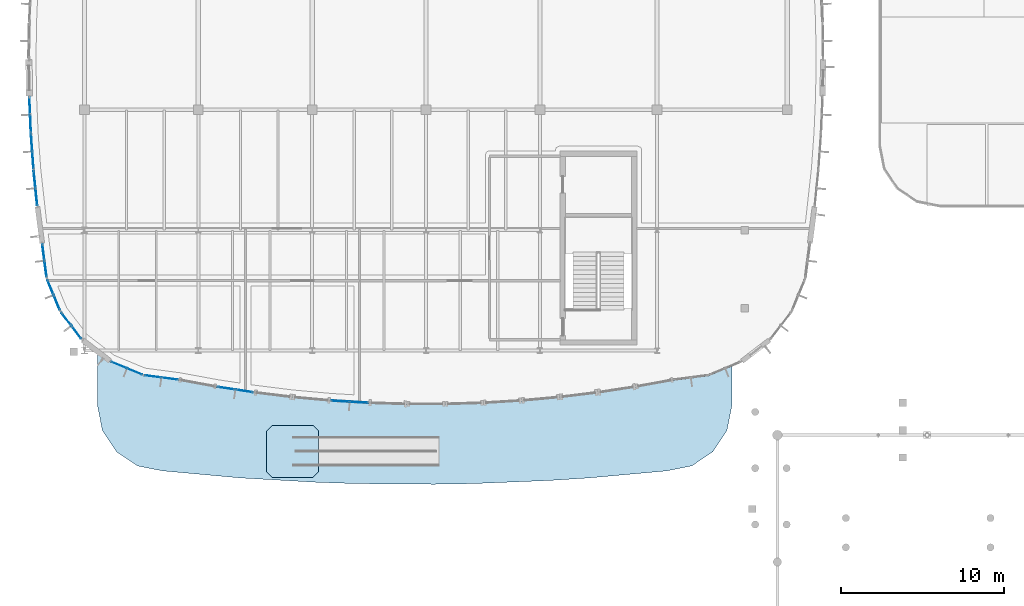
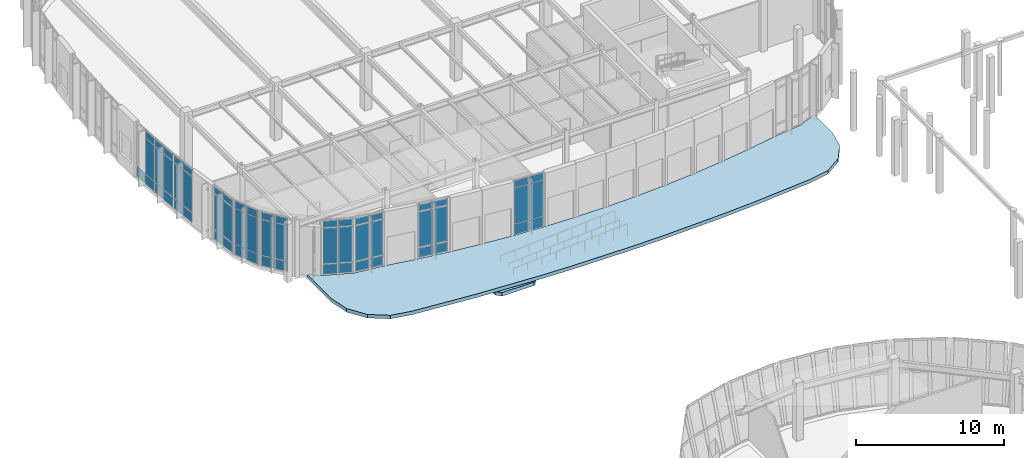
# One storey, part 75 of 120: 58 plates, 2 slabs, 10 elements without a shape of their own.
"""IFC4 building model written with IfcOpenShell, lengths in metres."""

from ifc_helpers import new_model, si_unit, direction, frame, origin, origin_2d, place, context, subcontext, project, spatial, polyline, rectangle, outline, extrude, material, layer, layer_set, type_object, element, aggregate, save


model = new_model("IFC4")

# Units and contexts
model_context = context("Model", 3, precision=1e-05, world=origin(), true_north=direction((0.0, 1.0)))
body_context = subcontext(model_context, "Body", "Model", "MODEL_VIEW")
ifc_project = project(units=[si_unit("LENGTHUNIT", "METRE"), si_unit("AREAUNIT", "SQUARE_METRE"), si_unit("VOLUMEUNIT", "CUBIC_METRE"), si_unit("PLANEANGLEUNIT", "RADIAN"), si_unit("MASSUNIT", "GRAM", prefix="KILO")], contexts=[model_context])

# Site, building, storey
site_placement = place(None, origin())
site = spatial("IfcSite", under=ifc_project, at=site_placement, CompositionType="ELEMENT")
building_placement = place(site_placement, origin())
building = spatial("IfcBuilding", under=site, at=building_placement, Name="Corveleigh Park Community Centre", CompositionType="ELEMENT")
storey_placement = place(building_placement, origin())
storey = spatial("IfcBuildingStorey", under=building, at=storey_placement, Name="L00", CompositionType="ELEMENT", Elevation=0.0)

# Curtain wall, plates
ifc_material_1 = material(Name="Anodised aluminium 6063-T6", Category="aluminium")
curtain_wall_type = type_object("IfcCurtainWallType", Name="CW-SYS-V2-L00", PredefinedType="NOTDEFINED", material=ifc_material_1)
curtain_wall_1_placement = place(storey_placement, origin())
curtain_wall_1 = element("IfcCurtainWall", 1, at=curtain_wall_1_placement, inside=storey, type_object=curtain_wall_type, Name="V2 L00 Curtain Wall 73", PredefinedType="NOTDEFINED")
ifc_material_2 = material(Name="Low-E double glazing", Category="glass")
ifc_layer_1 = layer(ifc_material_2, 0.02392578125, Name="Low-E double glazing", Category="glass")
ifc_layer_set_1 = layer_set([ifc_layer_1], Name="Low-E double glazing")
plate_type_1 = type_object("IfcPlateType", Name="CWP-GLZ-24", PredefinedType="CURTAIN_PANEL", material=ifc_layer_set_1)
plate_1_placement = place(storey_placement, frame((14.29052734375, 76.70751953125, 0.070068359375), z_axis=(0.0, 0.0, 1.0), x_axis=(-0.923770494231, 0.382946568059, 0.0)))
plate_1 = element("IfcPlate", 2, at=plate_1_placement, type_object=plate_type_1, Name="CW03 panel 1.1", PredefinedType="CURTAIN_PANEL", context=body_context, shape_type="SweptSolid", body=[
    extrude(rectangle(XDim=0.97412109375, YDim=0.02392578125, at=origin_2d()), origin(), (0.0, 0.0, 1.0), 0.794921875),
])
plate_2_placement = place(storey_placement, frame((14.29052734375, 76.70751953125, 0.93505859375), z_axis=(0.0, 0.0, 1.0), x_axis=(-0.923770494231, 0.382946568059, 0.0)))
plate_2 = element("IfcPlate", 3, at=plate_2_placement, type_object=plate_type_1, Name="CW03 panel 1.2", PredefinedType="CURTAIN_PANEL", context=body_context, shape_type="SweptSolid", body=[
    extrude(rectangle(XDim=0.97412109375, YDim=0.02392578125, at=origin_2d()), origin(), (0.0, 0.0, 1.0), 2.906982421875),
])
plate_3_placement = place(storey_placement, frame((14.29052734375, 76.70751953125, 3.912109375), z_axis=(0.0, 0.0, 1.0), x_axis=(-0.923770494231, 0.382946568059, 0.0)))
plate_3 = element("IfcPlate", 4, at=plate_3_placement, type_object=plate_type_1, Name="CW03 panel 1.3", PredefinedType="CURTAIN_PANEL", context=body_context, shape_type="SweptSolid", body=[
    extrude(rectangle(XDim=0.97412109375, YDim=0.02392578125, at=origin_2d()), origin(), (0.0, 0.0, 1.0), 0.544921875),
])
plate_4_placement = place(storey_placement, frame((13.33544921875, 77.103515625, 0.070068359375), z_axis=(0.0, 0.0, 1.0), x_axis=(-0.923770494231, 0.382946568059, 0.0)))
plate_4 = element("IfcPlate", 5, at=plate_4_placement, type_object=plate_type_1, Name="CW03 panel 2.1", PredefinedType="CURTAIN_PANEL", context=body_context, shape_type="SweptSolid", body=[
    extrude(rectangle(XDim=0.97412109375, YDim=0.02392578125, at=origin_2d()), origin(), (0.0, 0.0, 1.0), 0.794921875),
])
plate_5_placement = place(storey_placement, frame((13.33544921875, 77.103515625, 0.93505859375), z_axis=(0.0, 0.0, 1.0), x_axis=(-0.923770494231, 0.382946568059, 0.0)))
plate_5 = element("IfcPlate", 6, at=plate_5_placement, type_object=plate_type_1, Name="CW03 panel 2.2", PredefinedType="CURTAIN_PANEL", context=body_context, shape_type="SweptSolid", body=[
    extrude(rectangle(XDim=0.97412109375, YDim=0.02392578125, at=origin_2d()), origin(), (0.0, 0.0, 1.0), 2.906982421875),
])
plate_6_placement = place(storey_placement, frame((13.33544921875, 77.103515625, 3.912109375), z_axis=(0.0, 0.0, 1.0), x_axis=(-0.923770494231, 0.382946568059, 0.0)))
plate_6 = element("IfcPlate", 7, at=plate_6_placement, type_object=plate_type_1, Name="CW03 panel 2.3", PredefinedType="CURTAIN_PANEL", context=body_context, shape_type="SweptSolid", body=[
    extrude(rectangle(XDim=0.97412109375, YDim=0.02392578125, at=origin_2d()), origin(), (0.0, 0.0, 1.0), 0.544921875),
])
aggregate(curtain_wall_1, [plate_1, plate_2, plate_3, plate_4, plate_5, plate_6])

curtain_wall_2_placement = place(storey_placement, origin())
curtain_wall_2 = element("IfcCurtainWall", 8, at=curtain_wall_2_placement, inside=storey, type_object=curtain_wall_type, Name="V2 L00 Curtain Wall 74", PredefinedType="NOTDEFINED")
plate_7_placement = place(storey_placement, frame((16.440185546875, 76.2734375, 0.074951171875), z_axis=(0.0, 0.0, 1.0), x_axis=(-0.991417836118, 0.130731305458, 0.0)))
plate_7 = element("IfcPlate", 9, at=plate_7_placement, type_object=plate_type_1, Name="CW03 panel 1.1", PredefinedType="CURTAIN_PANEL", context=body_context, shape_type="SweptSolid", body=[
    extrude(rectangle(XDim=0.977294921875, YDim=0.02392578125, at=origin_2d()), origin(), (0.0, 0.0, 1.0), 0.78759765625),
])
plate_8_placement = place(storey_placement, frame((16.440185546875, 76.2734375, 0.9375), z_axis=(0.0, 0.0, 1.0), x_axis=(-0.991417836118, 0.130731305458, 0.0)))
plate_8 = element("IfcPlate", 10, at=plate_8_placement, type_object=plate_type_1, Name="CW03 panel 1.2", PredefinedType="CURTAIN_PANEL", context=body_context, shape_type="SweptSolid", body=[
    extrude(rectangle(XDim=0.977294921875, YDim=0.02392578125, at=origin_2d()), origin(), (0.0, 0.0, 1.0), 2.886962890625),
])
plate_9_placement = place(storey_placement, frame((16.440185546875, 76.2734375, 3.8994140625), z_axis=(0.0, 0.0, 1.0), x_axis=(-0.991417836118, 0.130731305458, 0.0)))
plate_9 = element("IfcPlate", 11, at=plate_9_placement, type_object=plate_type_1, Name="CW03 panel 1.3", PredefinedType="CURTAIN_PANEL", context=body_context, shape_type="SweptSolid", body=[
    extrude(rectangle(XDim=0.977294921875, YDim=0.02392578125, at=origin_2d()), origin(), (0.0, 0.0, 1.0), 0.53759765625),
])
plate_10_placement = place(storey_placement, frame((15.406982421875, 76.40966796875, 0.074951171875), z_axis=(0.0, 0.0, 1.0), x_axis=(-0.991417836118, 0.130731305458, 0.0)))
plate_10 = element("IfcPlate", 12, at=plate_10_placement, type_object=plate_type_1, Name="CW03 panel 2.1", PredefinedType="CURTAIN_PANEL", context=body_context, shape_type="SweptSolid", body=[
    extrude(rectangle(XDim=0.977294921875, YDim=0.02392578125, at=origin_2d()), origin(), (0.0, 0.0, 1.0), 0.78759765625),
])
plate_11_placement = place(storey_placement, frame((15.406982421875, 76.40966796875, 0.9375), z_axis=(0.0, 0.0, 1.0), x_axis=(-0.991417836118, 0.130731305458, 0.0)))
plate_11 = element("IfcPlate", 13, at=plate_11_placement, type_object=plate_type_1, Name="CW03 panel 2.2", PredefinedType="CURTAIN_PANEL", context=body_context, shape_type="SweptSolid", body=[
    extrude(rectangle(XDim=0.977294921875, YDim=0.02392578125, at=origin_2d()), origin(), (0.0, 0.0, 1.0), 2.886962890625),
])
plate_12_placement = place(storey_placement, frame((15.406982421875, 76.40966796875, 3.8994140625), z_axis=(0.0, 0.0, 1.0), x_axis=(-0.991417836118, 0.130731305458, 0.0)))
plate_12 = element("IfcPlate", 14, at=plate_12_placement, type_object=plate_type_1, Name="CW03 panel 2.3", PredefinedType="CURTAIN_PANEL", context=body_context, shape_type="SweptSolid", body=[
    extrude(rectangle(XDim=0.977294921875, YDim=0.02392578125, at=origin_2d()), origin(), (0.0, 0.0, 1.0), 0.53759765625),
])
aggregate(curtain_wall_2, [plate_7, plate_8, plate_9, plate_10, plate_11, plate_12])

curtain_wall_3_placement = place(storey_placement, origin())
curtain_wall_3 = element("IfcCurtainWall", 15, at=curtain_wall_3_placement, inside=storey, type_object=curtain_wall_type, Name="V2 L00 Curtain Wall 30", PredefinedType="NOTDEFINED")
ifc_layer_2 = layer(ifc_material_2, 0.031982421875, Name="Low-E double glazing", Category="glass")
ifc_layer_set_2 = layer_set([ifc_layer_2], Name="Low-E double glazing")
plate_type_2 = type_object("IfcPlateType", Name="CWP-GLZ-32", PredefinedType="CURTAIN_PANEL", material=ifc_layer_set_2)
plate_13_placement = place(storey_placement, frame((21.033935546875, 75.51318359375, 0.080078125), z_axis=(0.0, 0.0, 1.0), x_axis=(-0.988568927471, 0.150769611128, 0.0)))
plate_13 = element("IfcPlate", 16, at=plate_13_placement, type_object=plate_type_2, Name="CW03 panel 1.1", PredefinedType="CURTAIN_PANEL", context=body_context, shape_type="SweptSolid", body=[
    extrude(rectangle(XDim=1.039794921875, YDim=0.031982421875, at=origin_2d()), origin(), (0.0, 0.0, 1.0), 0.780029296875),
])
plate_14_placement = place(storey_placement, frame((21.033935546875, 75.51318359375, 0.93994140625), z_axis=(0.0, 0.0, 1.0), x_axis=(-0.988568927471, 0.150769611128, 0.0)))
plate_14 = element("IfcPlate", 17, at=plate_14_placement, type_object=plate_type_2, Name="CW03 panel 1.2", PredefinedType="CURTAIN_PANEL", context=body_context, shape_type="SweptSolid", body=[
    extrude(rectangle(XDim=1.039794921875, YDim=0.031982421875, at=origin_2d()), origin(), (0.0, 0.0, 1.0), 2.882080078125),
])
plate_15_placement = place(storey_placement, frame((21.033935546875, 75.51318359375, 3.90185546875), z_axis=(0.0, 0.0, 1.0), x_axis=(-0.988568927471, 0.150769611128, 0.0)))
plate_15 = element("IfcPlate", 18, at=plate_15_placement, type_object=plate_type_2, Name="CW03 panel 1.3", PredefinedType="CURTAIN_PANEL", context=body_context, shape_type="SweptSolid", body=[
    extrude(rectangle(XDim=1.039794921875, YDim=0.031982421875, at=origin_2d()), origin(), (0.0, 0.0, 1.0), 0.530029296875),
])
plate_16_placement = place(storey_placement, frame((19.922119140625, 75.682861328125, 0.080078125), z_axis=(0.0, 0.0, 1.0), x_axis=(-0.988568927471, 0.150769611128, 0.0)))
plate_16 = element("IfcPlate", 19, at=plate_16_placement, type_object=plate_type_2, Name="CW03 panel 2.1", PredefinedType="CURTAIN_PANEL", context=body_context, shape_type="SweptSolid", body=[
    extrude(rectangle(XDim=1.039794921875, YDim=0.031982421875, at=origin_2d()), origin(), (0.0, 0.0, 1.0), 0.780029296875),
])
plate_17_placement = place(storey_placement, frame((19.922119140625, 75.682861328125, 0.93994140625), z_axis=(0.0, 0.0, 1.0), x_axis=(-0.988568927471, 0.150769611128, 0.0)))
plate_17 = element("IfcPlate", 20, at=plate_17_placement, type_object=plate_type_2, Name="CW03 panel 2.2", PredefinedType="CURTAIN_PANEL", context=body_context, shape_type="SweptSolid", body=[
    extrude(rectangle(XDim=1.039794921875, YDim=0.031982421875, at=origin_2d()), origin(), (0.0, 0.0, 1.0), 2.882080078125),
])
plate_18_placement = place(storey_placement, frame((19.922119140625, 75.682861328125, 3.90185546875), z_axis=(0.0, 0.0, 1.0), x_axis=(-0.988568927471, 0.150769611128, 0.0)))
plate_18 = element("IfcPlate", 21, at=plate_18_placement, type_object=plate_type_2, Name="CW03 panel 2.3", PredefinedType="CURTAIN_PANEL", context=body_context, shape_type="SweptSolid", body=[
    extrude(rectangle(XDim=1.039794921875, YDim=0.031982421875, at=origin_2d()), origin(), (0.0, 0.0, 1.0), 0.530029296875),
])
aggregate(curtain_wall_3, [plate_13, plate_14, plate_15, plate_16, plate_17, plate_18])

curtain_wall_4_placement = place(storey_placement, origin())
curtain_wall_4 = element("IfcCurtainWall", 22, at=curtain_wall_4_placement, inside=storey, type_object=curtain_wall_type, Name="V2 L00 Curtain Wall 31", PredefinedType="NOTDEFINED")
ifc_layer_3 = layer(ifc_material_2, 0.035888671875, Name="Low-E double glazing", Category="glass")
ifc_layer_set_3 = layer_set([ifc_layer_3], Name="Low-E double glazing")
plate_type_3 = type_object("IfcPlateType", Name="CWP-GLZ-36", PredefinedType="CURTAIN_PANEL", material=ifc_layer_set_3)
plate_19_placement = place(storey_placement, frame((28.064208984375, 74.81787109375, 0.06005859375), z_axis=(0.0, 0.0, 1.0), x_axis=(-0.99820125946, 0.059952027591, 0.0)))
plate_19 = element("IfcPlate", 23, at=plate_19_placement, type_object=plate_type_3, Name="CW03 panel 1.1", PredefinedType="CURTAIN_PANEL", context=body_context, shape_type="SweptSolid", body=[
    extrude(rectangle(XDim=1.07763671875, YDim=0.035888671875, at=origin_2d()), origin(), (0.0, 0.0, 1.0), 0.81005859375),
])
plate_20_placement = place(storey_placement, frame((28.064208984375, 74.81787109375, 0.93017578125), z_axis=(0.0, 0.0, 1.0), x_axis=(-0.99820125946, 0.059952027591, 0.0)))
plate_20 = element("IfcPlate", 24, at=plate_20_placement, type_object=plate_type_3, Name="CW03 panel 1.2", PredefinedType="CURTAIN_PANEL", context=body_context, shape_type="SweptSolid", body=[
    extrude(rectangle(XDim=1.07763671875, YDim=0.035888671875, at=origin_2d()), origin(), (0.0, 0.0, 1.0), 2.902099609375),
])
plate_21_placement = place(storey_placement, frame((28.064208984375, 74.81787109375, 3.89208984375), z_axis=(0.0, 0.0, 1.0), x_axis=(-0.99820125946, 0.059952027591, 0.0)))
plate_21 = element("IfcPlate", 25, at=plate_21_placement, type_object=plate_type_3, Name="CW03 panel 1.3", PredefinedType="CURTAIN_PANEL", context=body_context, shape_type="SweptSolid", body=[
    extrude(rectangle(XDim=1.07763671875, YDim=0.035888671875, at=origin_2d()), origin(), (0.0, 0.0, 1.0), 0.56005859375),
])
plate_22_placement = place(storey_placement, frame((26.9287109375, 74.885986328125, 0.06005859375), z_axis=(0.0, 0.0, 1.0), x_axis=(-0.99820125946, 0.059952027591, 0.0)))
plate_22 = element("IfcPlate", 26, at=plate_22_placement, type_object=plate_type_3, Name="CW03 panel 2.1", PredefinedType="CURTAIN_PANEL", context=body_context, shape_type="SweptSolid", body=[
    extrude(rectangle(XDim=1.07763671875, YDim=0.035888671875, at=origin_2d()), origin(), (0.0, 0.0, 1.0), 0.81005859375),
])
plate_23_placement = place(storey_placement, frame((26.9287109375, 74.885986328125, 0.93017578125), z_axis=(0.0, 0.0, 1.0), x_axis=(-0.99820125946, 0.059952027591, 0.0)))
plate_23 = element("IfcPlate", 27, at=plate_23_placement, type_object=plate_type_3, Name="CW03 panel 2.2", PredefinedType="CURTAIN_PANEL", context=body_context, shape_type="SweptSolid", body=[
    extrude(rectangle(XDim=1.07763671875, YDim=0.035888671875, at=origin_2d()), origin(), (0.0, 0.0, 1.0), 2.902099609375),
])
plate_24_placement = place(storey_placement, frame((26.9287109375, 74.885986328125, 3.89208984375), z_axis=(0.0, 0.0, 1.0), x_axis=(-0.99820125946, 0.059952027591, 0.0)))
plate_24 = element("IfcPlate", 28, at=plate_24_placement, type_object=plate_type_3, Name="CW03 panel 2.3", PredefinedType="CURTAIN_PANEL", context=body_context, shape_type="SweptSolid", body=[
    extrude(rectangle(XDim=1.07763671875, YDim=0.035888671875, at=origin_2d()), origin(), (0.0, 0.0, 1.0), 0.56005859375),
])
aggregate(curtain_wall_4, [plate_19, plate_20, plate_21, plate_22, plate_23, plate_24])

curtain_wall_5_placement = place(storey_placement, origin())
curtain_wall_5 = element("IfcCurtainWall", 29, at=curtain_wall_5_placement, inside=storey, type_object=curtain_wall_type, Name="V2 L00 Curtain Wall 67", PredefinedType="NOTDEFINED")
plate_25_placement = place(storey_placement, frame((7.8857421875, 91.95263671875, 0.06494140625), z_axis=(0.0, 0.0, 1.0), x_axis=(-0.043572286221, 0.99905027695, 0.0)))
plate_25 = element("IfcPlate", 30, at=plate_25_placement, type_object=plate_type_3, Name="CW03 panel 1.1", PredefinedType="CURTAIN_PANEL", context=body_context, shape_type="SweptSolid", body=[
    extrude(rectangle(XDim=1.03466796875, YDim=0.035888671875, at=origin_2d()), origin(), (0.0, 0.0, 1.0), 0.802490234375),
])
plate_26_placement = place(storey_placement, frame((7.8857421875, 91.95263671875, 0.9326171875), z_axis=(0.0, 0.0, 1.0), x_axis=(-0.043572286221, 0.99905027695, 0.0)))
plate_26 = element("IfcPlate", 31, at=plate_26_placement, type_object=plate_type_3, Name="CW03 panel 1.2", PredefinedType="CURTAIN_PANEL", context=body_context, shape_type="SweptSolid", body=[
    extrude(rectangle(XDim=1.03466796875, YDim=0.035888671875, at=origin_2d()), origin(), (0.0, 0.0, 1.0), 2.89697265625),
])
plate_27_placement = place(storey_placement, frame((7.8857421875, 91.95263671875, 3.89453125), z_axis=(0.0, 0.0, 1.0), x_axis=(-0.043572286221, 0.99905027695, 0.0)))
plate_27 = element("IfcPlate", 32, at=plate_27_placement, type_object=plate_type_3, Name="CW03 panel 1.3", PredefinedType="CURTAIN_PANEL", context=body_context, shape_type="SweptSolid", body=[
    extrude(rectangle(XDim=1.03466796875, YDim=0.035888671875, at=origin_2d()), origin(), (0.0, 0.0, 1.0), 0.552490234375),
])
plate_28_placement = place(storey_placement, frame((7.838134765625, 93.046142578125, 0.06494140625), z_axis=(0.0, 0.0, 1.0), x_axis=(-0.043572286221, 0.99905027695, 0.0)))
plate_28 = element("IfcPlate", 33, at=plate_28_placement, type_object=plate_type_3, Name="CW03 panel 2.1", PredefinedType="CURTAIN_PANEL", context=body_context, shape_type="SweptSolid", body=[
    extrude(rectangle(XDim=1.03466796875, YDim=0.035888671875, at=origin_2d()), origin(), (0.0, 0.0, 1.0), 0.802490234375),
])
aggregate(curtain_wall_5, [plate_25, plate_26, plate_27, plate_28])

curtain_wall_6_placement = place(storey_placement, origin())
curtain_wall_6 = element("IfcCurtainWall", 34, at=curtain_wall_6_placement, inside=storey, type_object=curtain_wall_type, Name="V2 L00 Curtain Wall 68", PredefinedType="NOTDEFINED")
plate_29_placement = place(storey_placement, frame((8.0322265625, 89.691162109375, 0.070068359375), z_axis=(0.0, 0.0, 1.0), x_axis=(-0.072005120539, 0.997404262381, 0.0)))
plate_29 = element("IfcPlate", 35, at=plate_29_placement, type_object=plate_type_3, Name="CW03 panel 1.1", PredefinedType="CURTAIN_PANEL", context=body_context, shape_type="SweptSolid", body=[
    extrude(rectangle(XDim=1.02734375, YDim=0.035888671875, at=origin_2d()), origin(), (0.0, 0.0, 1.0), 0.794921875),
])
plate_30_placement = place(storey_placement, frame((8.0322265625, 89.691162109375, 0.93505859375), z_axis=(0.0, 0.0, 1.0), x_axis=(-0.072005120539, 0.997404262381, 0.0)))
plate_30 = element("IfcPlate", 36, at=plate_30_placement, type_object=plate_type_3, Name="CW03 panel 1.2", PredefinedType="CURTAIN_PANEL", context=body_context, shape_type="SweptSolid", body=[
    extrude(rectangle(XDim=1.02734375, YDim=0.035888671875, at=origin_2d()), origin(), (0.0, 0.0, 1.0), 2.89208984375),
])
plate_31_placement = place(storey_placement, frame((8.0322265625, 89.691162109375, 3.89697265625), z_axis=(0.0, 0.0, 1.0), x_axis=(-0.072005120539, 0.997404262381, 0.0)))
plate_31 = element("IfcPlate", 37, at=plate_31_placement, type_object=plate_type_3, Name="CW03 panel 1.3", PredefinedType="CURTAIN_PANEL", context=body_context, shape_type="SweptSolid", body=[
    extrude(rectangle(XDim=1.02734375, YDim=0.035888671875, at=origin_2d()), origin(), (0.0, 0.0, 1.0), 0.544921875),
])
plate_32_placement = place(storey_placement, frame((7.95361328125, 90.78076171875, 0.070068359375), z_axis=(0.0, 0.0, 1.0), x_axis=(-0.072005120539, 0.997404262381, 0.0)))
plate_32 = element("IfcPlate", 38, at=plate_32_placement, type_object=plate_type_3, Name="CW03 panel 2.1", PredefinedType="CURTAIN_PANEL", context=body_context, shape_type="SweptSolid", body=[
    extrude(rectangle(XDim=1.02734375, YDim=0.035888671875, at=origin_2d()), origin(), (0.0, 0.0, 1.0), 0.794921875),
])
plate_33_placement = place(storey_placement, frame((7.95361328125, 90.78076171875, 0.93505859375), z_axis=(0.0, 0.0, 1.0), x_axis=(-0.072005120539, 0.997404262381, 0.0)))
plate_33 = element("IfcPlate", 39, at=plate_33_placement, type_object=plate_type_3, Name="CW03 panel 2.2", PredefinedType="CURTAIN_PANEL", context=body_context, shape_type="SweptSolid", body=[
    extrude(rectangle(XDim=1.02734375, YDim=0.035888671875, at=origin_2d()), origin(), (0.0, 0.0, 1.0), 2.89208984375),
])
plate_34_placement = place(storey_placement, frame((7.95361328125, 90.78076171875, 3.89697265625), z_axis=(0.0, 0.0, 1.0), x_axis=(-0.072005120539, 0.997404262381, 0.0)))
plate_34 = element("IfcPlate", 40, at=plate_34_placement, type_object=plate_type_3, Name="CW03 panel 2.3", PredefinedType="CURTAIN_PANEL", context=body_context, shape_type="SweptSolid", body=[
    extrude(rectangle(XDim=1.02734375, YDim=0.035888671875, at=origin_2d()), origin(), (0.0, 0.0, 1.0), 0.544921875),
])
aggregate(curtain_wall_6, [plate_29, plate_30, plate_31, plate_32, plate_33, plate_34])

curtain_wall_7_placement = place(storey_placement, origin())
curtain_wall_7 = element("IfcCurtainWall", 41, at=curtain_wall_7_placement, inside=storey, type_object=curtain_wall_type, Name="V2 L00 Curtain Wall 69", PredefinedType="NOTDEFINED")
ifc_layer_4 = layer(ifc_material_2, 0.0400390625, Name="Low-E double glazing", Category="glass")
ifc_layer_set_4 = layer_set([ifc_layer_4], Name="Low-E double glazing")
plate_type_4 = type_object("IfcPlateType", Name="CWP-GLZ-40", PredefinedType="CURTAIN_PANEL", material=ifc_layer_set_4)
plate_35_placement = place(storey_placement, frame((8.2451171875, 87.434814453125, 0.074951171875), z_axis=(0.0, 0.0, 1.0), x_axis=(-0.101352073938, 0.9948506205, 0.0)))
plate_35 = element("IfcPlate", 42, at=plate_35_placement, type_object=plate_type_4, Name="CW03 panel 1.1", PredefinedType="CURTAIN_PANEL", context=body_context, shape_type="SweptSolid", body=[
    extrude(rectangle(XDim=1.019775390625, YDim=0.0400390625, at=origin_2d()), origin(), (0.0, 0.0, 1.0), 0.78759765625),
])
plate_36_placement = place(storey_placement, frame((8.2451171875, 87.434814453125, 0.9375), z_axis=(0.0, 0.0, 1.0), x_axis=(-0.101352073938, 0.9948506205, 0.0)))
plate_36 = element("IfcPlate", 43, at=plate_36_placement, type_object=plate_type_4, Name="CW03 panel 1.2", PredefinedType="CURTAIN_PANEL", context=body_context, shape_type="SweptSolid", body=[
    extrude(rectangle(XDim=1.019775390625, YDim=0.0400390625, at=origin_2d()), origin(), (0.0, 0.0, 1.0), 2.886962890625),
])
plate_37_placement = place(storey_placement, frame((8.2451171875, 87.434814453125, 3.8994140625), z_axis=(0.0, 0.0, 1.0), x_axis=(-0.101352073938, 0.9948506205, 0.0)))
plate_37 = element("IfcPlate", 44, at=plate_37_placement, type_object=plate_type_4, Name="CW03 panel 1.3", PredefinedType="CURTAIN_PANEL", context=body_context, shape_type="SweptSolid", body=[
    extrude(rectangle(XDim=1.019775390625, YDim=0.0400390625, at=origin_2d()), origin(), (0.0, 0.0, 1.0), 0.53759765625),
])
plate_38_placement = place(storey_placement, frame((8.134765625, 88.51904296875, 0.074951171875), z_axis=(0.0, 0.0, 1.0), x_axis=(-0.101352073938, 0.9948506205, 0.0)))
plate_38 = element("IfcPlate", 45, at=plate_38_placement, type_object=plate_type_4, Name="CW03 panel 2.1", PredefinedType="CURTAIN_PANEL", context=body_context, shape_type="SweptSolid", body=[
    extrude(rectangle(XDim=1.019775390625, YDim=0.0400390625, at=origin_2d()), origin(), (0.0, 0.0, 1.0), 0.78759765625),
])
plate_39_placement = place(storey_placement, frame((8.134765625, 88.51904296875, 0.9375), z_axis=(0.0, 0.0, 1.0), x_axis=(-0.101352073938, 0.9948506205, 0.0)))
plate_39 = element("IfcPlate", 46, at=plate_39_placement, type_object=plate_type_4, Name="CW03 panel 2.2", PredefinedType="CURTAIN_PANEL", context=body_context, shape_type="SweptSolid", body=[
    extrude(rectangle(XDim=1.019775390625, YDim=0.0400390625, at=origin_2d()), origin(), (0.0, 0.0, 1.0), 2.886962890625),
])
plate_40_placement = place(storey_placement, frame((8.134765625, 88.51904296875, 3.8994140625), z_axis=(0.0, 0.0, 1.0), x_axis=(-0.101352073938, 0.9948506205, 0.0)))
plate_40 = element("IfcPlate", 47, at=plate_40_placement, type_object=plate_type_4, Name="CW03 panel 2.3", PredefinedType="CURTAIN_PANEL", context=body_context, shape_type="SweptSolid", body=[
    extrude(rectangle(XDim=1.019775390625, YDim=0.0400390625, at=origin_2d()), origin(), (0.0, 0.0, 1.0), 0.53759765625),
])
aggregate(curtain_wall_7, [plate_35, plate_36, plate_37, plate_38, plate_39, plate_40])

curtain_wall_8_placement = place(storey_placement, origin())
curtain_wall_8 = element("IfcCurtainWall", 48, at=curtain_wall_8_placement, inside=storey, type_object=curtain_wall_type, Name="V2 L00 Curtain Wall 70", PredefinedType="NOTDEFINED")
plate_41_placement = place(storey_placement, frame((8.809326171875, 83.010498046875, 0.080078125), z_axis=(0.0, 0.0, 1.0), x_axis=(-0.130430498525, 0.99145745499, 0.0)))
plate_41 = element("IfcPlate", 49, at=plate_41_placement, type_object=plate_type_4, Name="CW03 panel 1.1", PredefinedType="CURTAIN_PANEL", context=body_context, shape_type="SweptSolid", body=[
    extrude(rectangle(XDim=0.964599609375, YDim=0.0400390625, at=origin_2d()), origin(), (0.0, 0.0, 1.0), 0.780029296875),
])
plate_42_placement = place(storey_placement, frame((8.809326171875, 83.010498046875, 0.93994140625), z_axis=(0.0, 0.0, 1.0), x_axis=(-0.130430498525, 0.99145745499, 0.0)))
plate_42 = element("IfcPlate", 50, at=plate_42_placement, type_object=plate_type_4, Name="CW03 panel 1.2", PredefinedType="CURTAIN_PANEL", context=body_context, shape_type="SweptSolid", body=[
    extrude(rectangle(XDim=0.964599609375, YDim=0.0400390625, at=origin_2d()), origin(), (0.0, 0.0, 1.0), 2.882080078125),
])
plate_43_placement = place(storey_placement, frame((8.809326171875, 83.010498046875, 3.90185546875), z_axis=(0.0, 0.0, 1.0), x_axis=(-0.130430498525, 0.99145745499, 0.0)))
plate_43 = element("IfcPlate", 51, at=plate_43_placement, type_object=plate_type_4, Name="CW03 panel 1.3", PredefinedType="CURTAIN_PANEL", context=body_context, shape_type="SweptSolid", body=[
    extrude(rectangle(XDim=0.964599609375, YDim=0.0400390625, at=origin_2d()), origin(), (0.0, 0.0, 1.0), 0.530029296875),
])
plate_44_placement = place(storey_placement, frame((8.673583984375, 84.04150390625, 0.080078125), z_axis=(0.0, 0.0, 1.0), x_axis=(-0.130430498525, 0.99145745499, 0.0)))
plate_44 = element("IfcPlate", 52, at=plate_44_placement, type_object=plate_type_4, Name="CW03 panel 2.1", PredefinedType="CURTAIN_PANEL", context=body_context, shape_type="SweptSolid", body=[
    extrude(rectangle(XDim=0.964599609375, YDim=0.0400390625, at=origin_2d()), origin(), (0.0, 0.0, 1.0), 0.780029296875),
])
plate_45_placement = place(storey_placement, frame((8.673583984375, 84.04150390625, 0.93994140625), z_axis=(0.0, 0.0, 1.0), x_axis=(-0.130430498525, 0.99145745499, 0.0)))
plate_45 = element("IfcPlate", 53, at=plate_45_placement, type_object=plate_type_4, Name="CW03 panel 2.2", PredefinedType="CURTAIN_PANEL", context=body_context, shape_type="SweptSolid", body=[
    extrude(rectangle(XDim=0.964599609375, YDim=0.0400390625, at=origin_2d()), origin(), (0.0, 0.0, 1.0), 2.882080078125),
])
plate_46_placement = place(storey_placement, frame((8.673583984375, 84.04150390625, 3.90185546875), z_axis=(0.0, 0.0, 1.0), x_axis=(-0.130430498525, 0.99145745499, 0.0)))
plate_46 = element("IfcPlate", 54, at=plate_46_placement, type_object=plate_type_4, Name="CW03 panel 2.3", PredefinedType="CURTAIN_PANEL", context=body_context, shape_type="SweptSolid", body=[
    extrude(rectangle(XDim=0.964599609375, YDim=0.0400390625, at=origin_2d()), origin(), (0.0, 0.0, 1.0), 0.530029296875),
])
aggregate(curtain_wall_8, [plate_41, plate_42, plate_43, plate_44, plate_45, plate_46])

curtain_wall_9_placement = place(storey_placement, origin())
curtain_wall_9 = element("IfcCurtainWall", 55, at=curtain_wall_9_placement, inside=storey, type_object=curtain_wall_type, Name="V2 L00 Curtain Wall 71", PredefinedType="NOTDEFINED")
ifc_layer_5 = layer(ifc_material_2, 0.0439453125, Name="Low-E double glazing", Category="glass")
ifc_layer_set_5 = layer_set([ifc_layer_5], Name="Low-E double glazing")
plate_type_5 = type_object("IfcPlateType", Name="CWP-GLZ-44", PredefinedType="CURTAIN_PANEL", material=ifc_layer_set_5)
plate_47_placement = place(storey_placement, frame((9.501708984375, 80.93994140625, 0.06005859375), z_axis=(0.0, 0.0, 1.0), x_axis=(-0.382946568059, 0.923770494231, 0.0)))
plate_47 = element("IfcPlate", 56, at=plate_47_placement, type_object=plate_type_5, Name="CW03 panel 1.1", PredefinedType="CURTAIN_PANEL", context=body_context, shape_type="SweptSolid", body=[
    extrude(rectangle(XDim=0.944091796875, YDim=0.0439453125, at=origin_2d()), origin(), (0.0, 0.0, 1.0), 0.81005859375),
])
plate_48_placement = place(storey_placement, frame((9.501708984375, 80.93994140625, 0.93017578125), z_axis=(0.0, 0.0, 1.0), x_axis=(-0.382946568059, 0.923770494231, 0.0)))
plate_48 = element("IfcPlate", 57, at=plate_48_placement, type_object=plate_type_5, Name="CW03 panel 1.2", PredefinedType="CURTAIN_PANEL", context=body_context, shape_type="SweptSolid", body=[
    extrude(rectangle(XDim=0.944091796875, YDim=0.0439453125, at=origin_2d()), origin(), (0.0, 0.0, 1.0), 2.902099609375),
])
plate_49_placement = place(storey_placement, frame((9.501708984375, 80.93994140625, 3.89208984375), z_axis=(0.0, 0.0, 1.0), x_axis=(-0.382946568059, 0.923770494231, 0.0)))
plate_49 = element("IfcPlate", 58, at=plate_49_placement, type_object=plate_type_5, Name="CW03 panel 1.3", PredefinedType="CURTAIN_PANEL", context=body_context, shape_type="SweptSolid", body=[
    extrude(rectangle(XDim=0.944091796875, YDim=0.0439453125, at=origin_2d()), origin(), (0.0, 0.0, 1.0), 0.56005859375),
])
plate_50_placement = place(storey_placement, frame((9.109375, 81.885986328125, 0.06005859375), z_axis=(0.0, 0.0, 1.0), x_axis=(-0.382946568059, 0.923770494231, 0.0)))
plate_50 = element("IfcPlate", 59, at=plate_50_placement, type_object=plate_type_5, Name="CW03 panel 2.1", PredefinedType="CURTAIN_PANEL", context=body_context, shape_type="SweptSolid", body=[
    extrude(rectangle(XDim=0.944091796875, YDim=0.0439453125, at=origin_2d()), origin(), (0.0, 0.0, 1.0), 0.81005859375),
])
plate_51_placement = place(storey_placement, frame((9.109375, 81.885986328125, 0.93017578125), z_axis=(0.0, 0.0, 1.0), x_axis=(-0.382946568059, 0.923770494231, 0.0)))
plate_51 = element("IfcPlate", 60, at=plate_51_placement, type_object=plate_type_5, Name="CW03 panel 2.2", PredefinedType="CURTAIN_PANEL", context=body_context, shape_type="SweptSolid", body=[
    extrude(rectangle(XDim=0.944091796875, YDim=0.0439453125, at=origin_2d()), origin(), (0.0, 0.0, 1.0), 2.902099609375),
])
plate_52_placement = place(storey_placement, frame((9.109375, 81.885986328125, 3.89208984375), z_axis=(0.0, 0.0, 1.0), x_axis=(-0.382946568059, 0.923770494231, 0.0)))
plate_52 = element("IfcPlate", 61, at=plate_52_placement, type_object=plate_type_5, Name="CW03 panel 2.3", PredefinedType="CURTAIN_PANEL", context=body_context, shape_type="SweptSolid", body=[
    extrude(rectangle(XDim=0.944091796875, YDim=0.0439453125, at=origin_2d()), origin(), (0.0, 0.0, 1.0), 0.56005859375),
])
aggregate(curtain_wall_9, [plate_47, plate_48, plate_49, plate_50, plate_51, plate_52])

curtain_wall_10_placement = place(storey_placement, origin())
curtain_wall_10 = element("IfcCurtainWall", 62, at=curtain_wall_10_placement, inside=storey, type_object=curtain_wall_type, Name="V2 L00 Curtain Wall 72", PredefinedType="NOTDEFINED")
plate_53_placement = place(storey_placement, frame((10.703857421875, 79.124267578125, 0.06494140625), z_axis=(0.0, 0.0, 1.0), x_axis=(-0.608825655317, 0.793304053581, 0.0)))
plate_53 = element("IfcPlate", 63, at=plate_53_placement, type_object=plate_type_5, Name="CW03 panel 1.1", PredefinedType="CURTAIN_PANEL", context=body_context, shape_type="SweptSolid", body=[
    extrude(rectangle(XDim=0.937744140625, YDim=0.0439453125, at=origin_2d()), origin(), (0.0, 0.0, 1.0), 0.802490234375),
])
plate_54_placement = place(storey_placement, frame((10.703857421875, 79.124267578125, 0.9326171875), z_axis=(0.0, 0.0, 1.0), x_axis=(-0.608825655317, 0.793304053581, 0.0)))
plate_54 = element("IfcPlate", 64, at=plate_54_placement, type_object=plate_type_5, Name="CW03 panel 1.2", PredefinedType="CURTAIN_PANEL", context=body_context, shape_type="SweptSolid", body=[
    extrude(rectangle(XDim=0.937744140625, YDim=0.0439453125, at=origin_2d()), origin(), (0.0, 0.0, 1.0), 2.89697265625),
])
plate_55_placement = place(storey_placement, frame((10.703857421875, 79.124267578125, 3.89453125), z_axis=(0.0, 0.0, 1.0), x_axis=(-0.608825655317, 0.793304053581, 0.0)))
plate_55 = element("IfcPlate", 65, at=plate_55_placement, type_object=plate_type_5, Name="CW03 panel 1.3", PredefinedType="CURTAIN_PANEL", context=body_context, shape_type="SweptSolid", body=[
    extrude(rectangle(XDim=0.937744140625, YDim=0.0439453125, at=origin_2d()), origin(), (0.0, 0.0, 1.0), 0.552490234375),
])
plate_56_placement = place(storey_placement, frame((10.081298828125, 79.935546875, 0.06494140625), z_axis=(0.0, 0.0, 1.0), x_axis=(-0.608825655317, 0.793304053581, 0.0)))
plate_56 = element("IfcPlate", 66, at=plate_56_placement, type_object=plate_type_5, Name="CW03 panel 2.1", PredefinedType="CURTAIN_PANEL", context=body_context, shape_type="SweptSolid", body=[
    extrude(rectangle(XDim=0.937744140625, YDim=0.0439453125, at=origin_2d()), origin(), (0.0, 0.0, 1.0), 0.802490234375),
])
plate_57_placement = place(storey_placement, frame((10.081298828125, 79.935546875, 0.9326171875), z_axis=(0.0, 0.0, 1.0), x_axis=(-0.608825655317, 0.793304053581, 0.0)))
plate_57 = element("IfcPlate", 67, at=plate_57_placement, type_object=plate_type_5, Name="CW03 panel 2.2", PredefinedType="CURTAIN_PANEL", context=body_context, shape_type="SweptSolid", body=[
    extrude(rectangle(XDim=0.937744140625, YDim=0.0439453125, at=origin_2d()), origin(), (0.0, 0.0, 1.0), 2.89697265625),
])
plate_58_placement = place(storey_placement, frame((10.081298828125, 79.935546875, 3.89453125), z_axis=(0.0, 0.0, 1.0), x_axis=(-0.608825655317, 0.793304053581, 0.0)))
plate_58 = element("IfcPlate", 68, at=plate_58_placement, type_object=plate_type_5, Name="CW03 panel 2.3", PredefinedType="CURTAIN_PANEL", context=body_context, shape_type="SweptSolid", body=[
    extrude(rectangle(XDim=0.937744140625, YDim=0.0439453125, at=origin_2d()), origin(), (0.0, 0.0, 1.0), 0.552490234375),
])
aggregate(curtain_wall_10, [plate_53, plate_54, plate_55, plate_56, plate_57, plate_58])

# Slabs
ifc_material_3 = material(Name="Concrete C32/40", Category="concrete")
ifc_layer_6 = layer(ifc_material_3, 0.2900390625, Name="Concrete C32/40", Category="concrete")
ifc_layer_set_6 = layer_set([ifc_layer_6], Name="Concrete C32/40")
slab_type = type_object("IfcSlabType", Name="SLB-APR-290", PredefinedType="FLOOR", material=ifc_layer_set_6)
slab_1_placement = place(storey_placement, frame((0.0, 0.0, -0.2900390625)))
element("IfcSlab", 69, at=slab_1_placement, inside=storey, type_object=slab_type, Name="Sports Hall South Forecourt", PredefinedType="FLOOR", context=body_context, shape_type="SweptSolid", body=[
    extrude(outline(polyline([(51.008056640625, 77.0419921875), (51.0, 74.60009765625), (50.696044921875, 73.069091796875), (49.827880859375, 71.77197265625), (48.531005859375, 70.904052734375), (47.0, 70.60009765625), (42.240966796875, 70.1689453125), (39.85693359375, 70.012939453125), (35.0830078125, 69.81689453125), (32.695068359375, 69.778076171875), (27.9169921875, 69.81689453125), (25.529052734375, 69.89501953125), (20.759033203125, 70.1689453125), (16.0, 70.60009765625), (14.468994140625, 70.904052734375), (13.172119140625, 71.77197265625), (12.303955078125, 73.069091796875), (12.0, 74.60009765625), (11.9990234375, 77.89501953125), (12.784912109375, 77.2939453125), (14.821044921875, 76.450927734375), (16.9951171875, 76.1650390625), (19.30908203125, 75.740966796875), (21.635986328125, 75.385986328125), (23.97412109375, 75.10205078125), (26.320068359375, 74.887939453125), (28.6689453125, 74.74609375), (31.02197265625, 74.675048828125), (33.376953125, 74.675048828125), (35.73095703125, 74.74609375), (38.0810546875, 74.887939453125), (40.426025390625, 75.10205078125), (42.763916015625, 75.385986328125), (45.091064453125, 75.740966796875), (47.405029296875, 76.1650390625), (49.5810546875, 76.451904296875), (51.008056640625, 77.0419921875)])), origin(), (0.0, 0.0, 1.0), 0.2900390625),
])
slab_2_placement = place(storey_placement, frame((0.0, 0.0, -0.889892578125)))
element("IfcSlab", 70, at=slab_2_placement, inside=storey, type_object=slab_type, Name="Ramp RM6 lower landing", PredefinedType="FLOOR", context=body_context, shape_type="SweptSolid", body=[
    extrude(outline(polyline([(22.75, 70.199951171875), (25.25, 70.199951171875), (25.60009765625, 70.550048828125), (25.60009765625, 73.050048828125), (25.25, 73.39990234375), (22.75, 73.39990234375), (22.39990234375, 73.050048828125), (22.39990234375, 70.550048828125), (22.75, 70.199951171875)])), origin(), (0.0, 0.0, 1.0), 0.289794921875),
])

save(model, "model.ifc")
